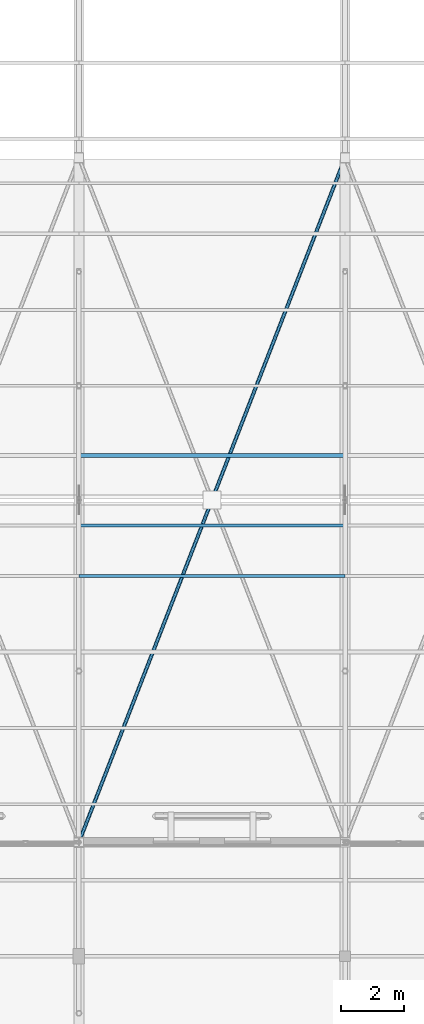
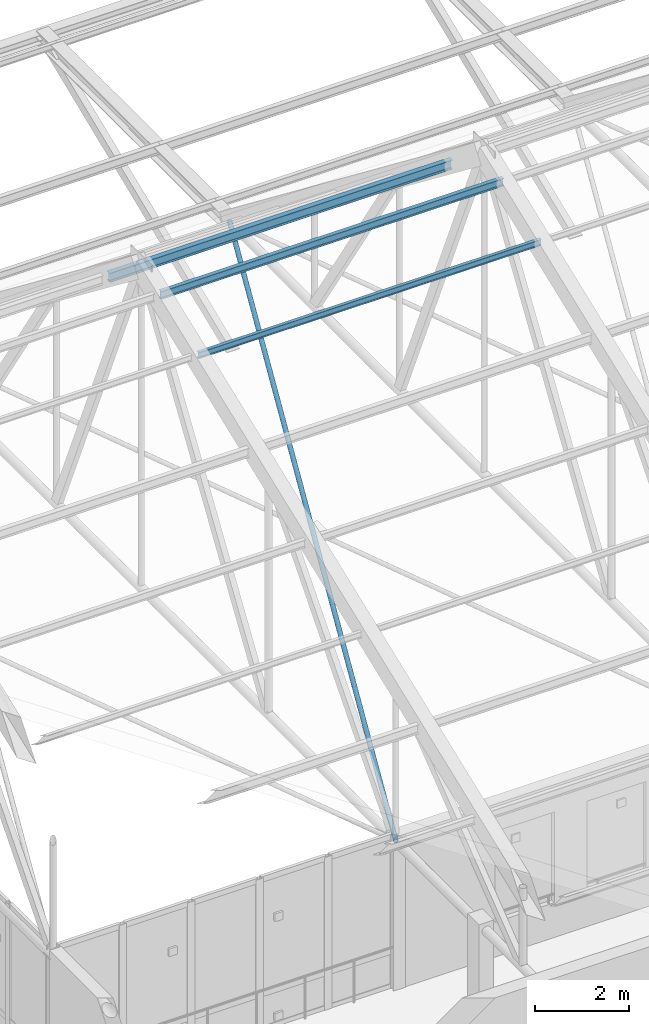
# One storey, part 114 of 217: 4 members.
"""IFC4 building model written with IfcOpenShell, lengths in metres."""

from ifc_helpers import new_model, si_unit, direction, frame, origin, origin_2d, place, context, subcontext, project, spatial, hollow_circle, i_section, extrude, material, material_profile, profile_set, type_object, element, save


model = new_model("IFC4")

# Units and contexts
model_context = context("Model", 3, precision=1e-05, world=origin(), true_north=direction((0.0, 1.0)))
body_context = subcontext(model_context, "Body", "Model", "MODEL_VIEW")
ifc_project = project(units=[si_unit("LENGTHUNIT", "METRE"), si_unit("AREAUNIT", "SQUARE_METRE"), si_unit("VOLUMEUNIT", "CUBIC_METRE"), si_unit("PLANEANGLEUNIT", "RADIAN"), si_unit("MASSUNIT", "GRAM", prefix="KILO")], contexts=[model_context])

# Site, building, storey
site_placement = place(None, origin())
site = spatial("IfcSite", under=ifc_project, at=site_placement, CompositionType="ELEMENT")
building_placement = place(site_placement, origin())
building = spatial("IfcBuilding", under=site, at=building_placement, Name="Mazaris Harbour Polytechnic", CompositionType="ELEMENT")
storey_placement = place(building_placement, frame((0.0, 0.0, 9.60009765625)))
storey = spatial("IfcBuildingStorey", under=building, at=storey_placement, Name="L02", CompositionType="ELEMENT", Elevation=9.60009765625)

# Members
ifc_material_1 = material(Name="Steel S355", Category="steel")
ifc_material_profile_1 = material_profile(ifc_material_1, i_section(OverallWidth=0.08203125, OverallDepth=0.159912109375, WebThickness=0.0048828125, FlangeThickness=0.00732421875, FilletRadius=0.009033203125, at=origin_2d()), Name="IPE 160")
ifc_profile_set_1 = profile_set([ifc_material_profile_1], Name="Steel S355")
member_type_1 = type_object("IfcMemberType", Name="Steel Purlin IPE160", PredefinedType="PURLIN", material=ifc_profile_set_1)
member_1_placement = place(storey_placement, frame((62.39990234375, 94.800048828125, 11.23779296875), z_axis=(1.0, 0.0, 0.0), x_axis=(0.0, 1.0, 0.0)))
element("IfcMember", 1, at=member_1_placement, inside=storey, type_object=member_type_1, Name="V1 Roof Purlin S-33", PredefinedType="PURLIN", context=body_context, shape_type="SweptSolid", body=[
    extrude(i_section(OverallWidth=0.08203125, OverallDepth=0.159912109375, WebThickness=0.0048828125, FlangeThickness=0.00732421875, FilletRadius=0.009033203125, at=origin_2d()), origin(), (0.0, 0.0, 1.0), 8.400146484375),
])
ifc_material_2 = material(Name="Steel S355", Category="steel")
ifc_material_profile_2 = material_profile(ifc_material_2, i_section(OverallWidth=0.10009765625, OverallDepth=0.199951171875, WebThickness=0.005615234375, FlangeThickness=0.008544921875, FilletRadius=0.011962890625, at=origin_2d()), Name="IPE 200")
ifc_profile_set_2 = profile_set([ifc_material_profile_2], Name="Steel S355")
member_type_2 = type_object("IfcMemberType", Name="Steel Purlin IPE200", PredefinedType="PURLIN", material=ifc_profile_set_2)
member_2_placement = place(storey_placement, frame((62.39990234375, 96.39990234375, 11.833740234375), z_axis=(1.0, 0.0, 0.0), x_axis=(0.0, 1.0, 0.0)))
element("IfcMember", 2, at=member_2_placement, inside=storey, type_object=member_type_2, Name="V1 Roof Purlin S-34", PredefinedType="PURLIN", context=body_context, shape_type="SweptSolid", body=[
    extrude(i_section(OverallWidth=0.10009765625, OverallDepth=0.199951171875, WebThickness=0.005615234375, FlangeThickness=0.008544921875, FilletRadius=0.011962890625, at=origin_2d()), origin(), (0.0, 0.0, 1.0), 8.400146484375),
])
ifc_material_3 = material(Name="Steel S355", Category="steel")
ifc_material_profile_3 = material_profile(ifc_material_3, i_section(OverallWidth=0.1201171875, OverallDepth=0.239990234375, WebThickness=0.006103515625, FlangeThickness=0.009765625, FilletRadius=0.014892578125, at=origin_2d()), Name="IPE 240")
ifc_profile_set_3 = profile_set([ifc_material_profile_3], Name="Steel S355")
member_type_3 = type_object("IfcMemberType", Name="Steel Purlin IPE240", PredefinedType="PURLIN", material=ifc_profile_set_3)
member_3_placement = place(storey_placement, frame((62.39990234375, 98.60009765625, 10.9609375), z_axis=(1.0, 0.0, 0.0), x_axis=(0.0, 1.0, 0.0)))
element("IfcMember", 3, at=member_3_placement, inside=storey, type_object=member_type_3, Name="V1 Roof Purlin N-35", PredefinedType="PURLIN", context=body_context, shape_type="SweptSolid", body=[
    extrude(i_section(OverallWidth=0.1201171875, OverallDepth=0.239990234375, WebThickness=0.006103515625, FlangeThickness=0.009765625, FilletRadius=0.014892578125, at=origin_2d()), origin(), (0.0, 0.0, 1.0), 8.400146484375),
])
ifc_material_4 = material(Name="Steel S355", Category="steel")
ifc_material_profile_4 = material_profile(ifc_material_4, hollow_circle(Radius=0.05712890625, WallThickness=0.00634765625, at=origin_2d()), Name="CHS 114.3x6.3")
ifc_profile_set_4 = profile_set([ifc_material_profile_4], Name="Steel S355")
member_type_4 = type_object("IfcMemberType", Name="Steel Wind Brace CHS114", PredefinedType="BRACE", material=ifc_profile_set_4)
member_4_placement = place(storey_placement, frame((62.39990234375, 86.39990234375, 3.75), z_axis=(0.362450327975, 0.93200308999, 0.0), x_axis=(-0.93200308999, 0.362450327975, 0.0)))
element("IfcMember", 4, at=member_4_placement, inside=storey, type_object=member_type_4, Name="V1 Continuous Roof Wind Brace 2A", PredefinedType="BRACE", context=body_context, shape_type="SweptSolid", body=[
    extrude(hollow_circle(Radius=0.05712890625, WallThickness=0.00634765625, at=origin_2d()), origin(), (0.0, 0.0, 1.0), 23.176025390625),
])

save(model, "model.ifc")
